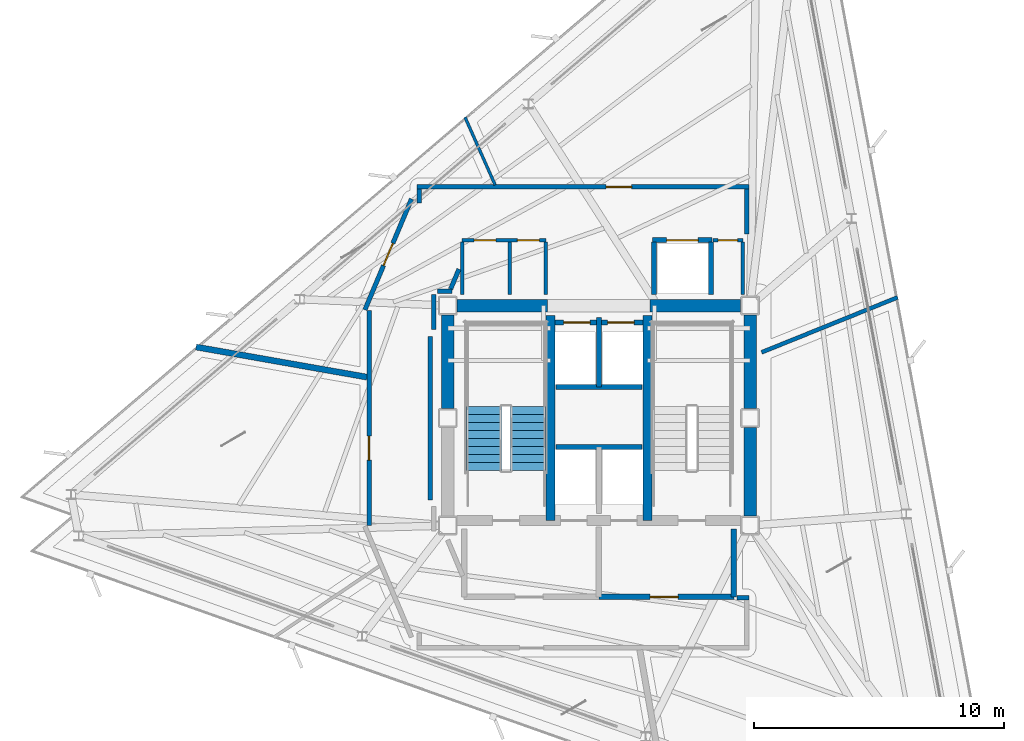
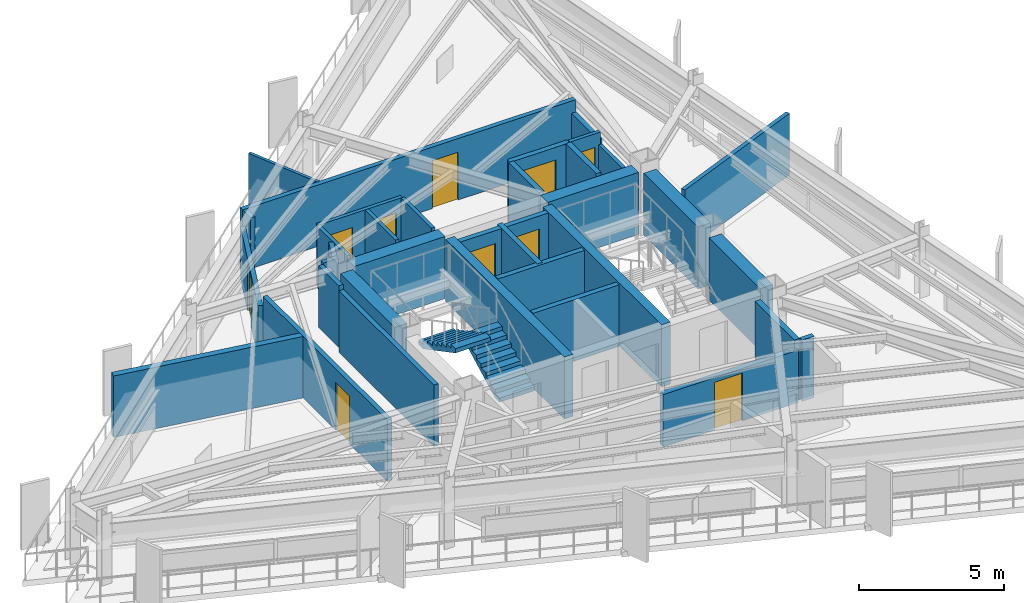
# One storey, part 9 of 14: 35 walls, 10 doors, 2 stair flights, 10 openings, 1 element without a shape of its own.
"""IFC4 building model written with IfcOpenShell, lengths in metres."""

from ifc_helpers import new_model, si_unit, direction, frame, frame_2d, origin, place, context, subcontext, project, spatial, polyline, rectangle, outline, extrude, material, layer, layer_set, type_object, element, fill, aggregate, save


model = new_model("IFC4")

# Units and contexts
model_context = context("Model", 3, precision=1e-05, world=origin(), true_north=direction((0.0, 1.0)))
body_context = subcontext(model_context, "Body", "Model", "MODEL_VIEW")
ifc_project = project(units=[si_unit("LENGTHUNIT", "METRE"), si_unit("AREAUNIT", "SQUARE_METRE"), si_unit("VOLUMEUNIT", "CUBIC_METRE"), si_unit("PLANEANGLEUNIT", "RADIAN"), si_unit("MASSUNIT", "GRAM", prefix="KILO")], contexts=[model_context])

# Site, building, storey
site_placement = place(None, origin())
site = spatial("IfcSite", under=ifc_project, at=site_placement, CompositionType="ELEMENT")
building_placement = place(site_placement, origin())
building = spatial("IfcBuilding", under=site, at=building_placement, Name="Rocaltana Carrier Exchange", CompositionType="ELEMENT")
storey_placement = place(building_placement, frame((0.0, 0.0, 190.56005859375)))
storey = spatial("IfcBuildingStorey", under=building, at=storey_placement, Name="L60", CompositionType="ELEMENT", Elevation=190.56005859375)

# Walls
ifc_material_1 = material(Name="Double Acoustic Gypsum Partition", Category="gypsum")
ifc_layer_1 = layer(ifc_material_1, 0.159912109375)
ifc_layer_set_1 = layer_set([ifc_layer_1], Name="Double Acoustic Gypsum Partition")
wall_type_1 = type_object("IfcWallType", Name="Acoustic Studio Partition 160 EI60", PredefinedType="PARTITIONING", material=ifc_layer_set_1)
wall_1_placement = place(storey_placement, frame((6.510009765625, 2.630126953125, 0.0), z_axis=(0.0, 0.0, 1.0), x_axis=(0.927189354085, 0.374592981342, 0.0)))
element("IfcWall", 1, at=wall_1_placement, inside=storey, type_object=wall_type_1, Name="L60 Suite Divider Wall D3", PredefinedType="PARTITIONING", context=body_context, shape_type="SweptSolid", body=[
    extrude(rectangle(XDim=5.87158203125, YDim=0.159912109375, at=frame_2d((2.935791015625, 0.0))), origin(), (0.0, 0.0, 1.0), 2.593017578125),
])
ifc_material_2 = material(Name="Concrete C50/60", Category="concrete")
ifc_layer_2 = layer(ifc_material_2, 0.35009765625)
ifc_layer_set_2 = layer_set([ifc_layer_2], Name="Concrete C50/60")
wall_type_2 = type_object("IfcWallType", Name="Core Internal Shear Wall 350", PredefinedType="SHEAR", material=ifc_layer_set_2)
for number, where, z_axis, x_axis, name in (
    (2, (-1.93994140625, -4.10009765625, 0.0), (0.0, 0.0, 1.0), (0.0, 1.0, 0.0), "L60 Core Shear Wall CW-STW"),
    (3, (1.93994140625, -4.10009765625, 0.0), (0.0, 0.0, 1.0), (0.0, 1.0, 0.0), "L60 Core Shear Wall CW-STE"),
):
    element("IfcWall", number, at=place(storey_placement, frame(where, z_axis=z_axis, x_axis=x_axis)), inside=storey, type_object=wall_type_2, Name=name, PredefinedType="SHEAR", context=body_context, shape_type="SweptSolid", body=[
        extrude(rectangle(XDim=8.2001953125, YDim=0.35009765625, at=frame_2d((4.10009765625, 0.0))), origin(), (0.0, 0.0, 1.0), 2.617919921875),
    ])
ifc_material_3 = material(Name="Concrete C50/60", Category="concrete")
ifc_layer_3 = layer(ifc_material_3, 0.5)
ifc_layer_set_3 = layer_set([ifc_layer_3], Name="Concrete C50/60")
wall_type_3 = type_object("IfcWallType", Name="Core Shear Wall 500", PredefinedType="SHEAR", material=ifc_layer_set_3)
for number, where, z_axis, x_axis, name in (
    (4, (-6.050048828125, 0.375, 0.0), (0.0, 0.0, 1.0), (0.0, 1.0, 0.0), "L60 Core Shear Wall CW-WN"),
    (5, (6.050048828125, 0.375, 0.0), (0.0, 0.0, 1.0), (0.0, 1.0, 0.0), "L60 Core Shear Wall CW-EN"),
):
    element("IfcWall", number, at=place(storey_placement, frame(where, z_axis=z_axis, x_axis=x_axis)), inside=storey, type_object=wall_type_3, Name=name, PredefinedType="SHEAR", context=body_context, shape_type="SweptSolid", body=[
        extrude(rectangle(XDim=3.75, YDim=0.5, at=frame_2d((1.875, 0.0))), origin(), (0.0, 0.0, 1.0), 2.617919921875),
    ])
wall_2_placement = place(storey_placement, frame((6.050048828125, -3.925048828125, 0.0), z_axis=(0.0, 0.0, 1.0), x_axis=(0.0, 1.0, 0.0)))
element("IfcWall", 6, at=wall_2_placement, inside=storey, type_object=wall_type_3, Name="L60 Core Shear Wall CW-ES", PredefinedType="SHEAR", context=body_context, shape_type="SweptSolid", body=[
    extrude(rectangle(XDim=3.550048828125, YDim=0.5, at=frame_2d((1.77490234375, 0.0))), origin(), (0.0, 0.0, 1.0), 2.617919921875),
])
for number, where, z_axis, x_axis, name in (
    (7, (-5.675048828125, 4.5, 0.0), (0.0, 0.0, 1.0), (1.0, 0.0, 0.0), "L60 Core Shear Wall CW-N1"),
    (8, (2.050048828125, 4.5, 0.0), (0.0, 0.0, 1.0), (1.0, 0.0, 0.0), "L60 Core Shear Wall CW-N2"),
):
    element("IfcWall", number, at=place(storey_placement, frame(where, z_axis=z_axis, x_axis=x_axis)), inside=storey, type_object=wall_type_3, Name=name, PredefinedType="SHEAR", context=body_context, shape_type="SweptSolid", body=[
        extrude(rectangle(XDim=3.625, YDim=0.5, at=frame_2d((1.8125, 0.0))), origin(), (0.0, 0.0, 1.0), 2.617919921875),
    ])

# Wall, opening, door
ifc_material_4 = material(Name="Gypsum & Steel Stud Partition", Category="steel")
ifc_layer_4 = layer(ifc_material_4, 0.179931640625)
ifc_layer_set_4 = layer_set([ifc_layer_4], Name="Gypsum & Steel Stud Partition")
wall_type_4 = type_object("IfcWallType", Name="Corridor Fire Partition 180 EI60", PredefinedType="PARTITIONING", material=ifc_layer_set_4)
wall_3_placement = place(storey_placement, frame((-9.199951171875, -4.303466796875, 0.0), z_axis=(0.0, 0.0, 1.0), x_axis=(0.0, 1.0, 0.0)))
wall_3 = element("IfcWall", 9, at=wall_3_placement, inside=storey, type_object=wall_type_4, Name="L60 Corridor Partition 2", PredefinedType="PARTITIONING", context=body_context, shape_type="SweptSolid", body=[
    extrude(rectangle(XDim=8.60693359375, YDim=0.179931640625, at=frame_2d((4.303466796875, 0.0))), origin(), (0.0, 0.0, 1.0), 2.593017578125),
])
opening_1_placement = place(wall_3_placement, frame((2.619384765625, 0.0, 0.0)))
opening_1 = element("IfcOpeningElement", 10, at=opening_1_placement, cuts=wall_3, Name="Opening D-RM098", PredefinedType="OPENING", context=body_context, shape_type="SweptSolid", body=[
    extrude(rectangle(XDim=0.9599609375, YDim=2.02001953125, at=frame_2d((0.47998046875, 1.010009765625))), frame((0.0, 0.099853515625, 0.0), z_axis=(0.0, -1.0, 0.0), x_axis=(1.0, 0.0, 0.0)), (0.0, 0.0, 1.0), 0.199951171875),
])
ifc_material_5 = material(Name="Engineered Hardwood Timber", Category="wood")
door_type_1 = type_object("IfcDoorType", Name="Workspace Single Door 960x2020", OperationType="NOTDEFINED", PredefinedType="DOOR", material=ifc_material_5)
door_1_placement = place(opening_1_placement, origin())
door_1 = element("IfcDoor", 11, at=door_1_placement, inside=storey, type_object=door_type_1, Name="L60 Cloud Architecture Office Entrance Door", OperationType="SINGLE_SWING_LEFT", OverallHeight=2.02001953125, OverallWidth=0.9599609375, PredefinedType="DOOR", context=body_context, shape_type="SweptSolid", body=[
    extrude(rectangle(XDim=0.9599609375, YDim=2.02001953125, at=frame_2d((0.47998046875, 1.010009765625))), frame((0.0, 0.02490234375, 0.0), z_axis=(0.0, -1.0, 0.0), x_axis=(1.0, 0.0, 0.0)), (0.0, 0.0, 1.0), 0.050048828125),
])
fill(opening_1, door_1)

wall_4_placement = place(storey_placement, frame((-9.36669921875, 4.331787109375, 0.0), z_axis=(0.0, 0.0, 1.0), x_axis=(0.387573945081, 0.921838617706, 0.0)))
wall_4 = element("IfcWall", 12, at=wall_4_placement, inside=storey, type_object=wall_type_4, Name="L60 Corridor Partition 3", PredefinedType="PARTITIONING", context=body_context, shape_type="SweptSolid", body=[
    extrude(rectangle(XDim=4.813232421875, YDim=0.179931640625, at=frame_2d((2.40673828125, 0.0))), origin(), (0.0, 0.0, 1.0), 2.21484375),
])
opening_2_placement = place(wall_4_placement, frame((1.926513671875, 0.0, 0.0)))
opening_2 = element("IfcOpeningElement", 13, at=opening_2_placement, cuts=wall_4, Name="Opening D-RM098", PredefinedType="OPENING", context=body_context, shape_type="SweptSolid", body=[
    extrude(rectangle(XDim=0.9599609375, YDim=2.02001953125, at=frame_2d((0.47998046875, 1.010009765625))), frame((0.0, 0.099853515625, 0.0), z_axis=(0.0, -1.0, 0.0), x_axis=(1.0, 0.0, 0.0)), (0.0, 0.0, 1.0), 0.199951171875),
])
door_2_placement = place(opening_2_placement, origin())
door_2 = element("IfcDoor", 14, at=door_2_placement, inside=storey, type_object=door_type_1, Name="L60 Peering Conference Room Entrance Door", OperationType="SINGLE_SWING_LEFT", OverallHeight=2.02001953125, OverallWidth=0.9599609375, PredefinedType="DOOR", context=body_context, shape_type="SweptSolid", body=[
    extrude(rectangle(XDim=0.9599609375, YDim=2.02001953125, at=frame_2d((0.47998046875, 1.010009765625))), frame((0.0, 0.02490234375, 0.0), z_axis=(0.0, -1.0, 0.0), x_axis=(1.0, 0.0, 0.0)), (0.0, 0.0, 1.0), 0.050048828125),
])
fill(opening_2, door_2)

# Wall
wall_5_placement = place(storey_placement, frame((-7.199951171875, 8.6005859375, 0.0), z_axis=(0.0, 0.0, 1.0), x_axis=(0.0, 1.0, 0.0)))
element("IfcWall", 15, at=wall_5_placement, inside=storey, type_object=wall_type_4, Name="L60 Corridor Partition 4", PredefinedType="PARTITIONING", context=body_context, shape_type="SweptSolid", body=[
    extrude(rectangle(XDim=0.559326171875, YDim=0.179931640625, at=frame_2d((0.27978515625, 0.0))), origin(), (0.0, 0.0, 1.0), 2.593017578125),
])

# Wall, opening, door
wall_6_placement = place(storey_placement, frame((-7.2900390625, 9.25, 0.0), z_axis=(0.0, 0.0, 1.0), x_axis=(1.0, 0.0, 0.0)))
wall_6 = element("IfcWall", 16, at=wall_6_placement, inside=storey, type_object=wall_type_4, Name="L60 Corridor Partition 5", PredefinedType="PARTITIONING", context=body_context, shape_type="SweptSolid", body=[
    extrude(rectangle(XDim=13.300048828125, YDim=0.179931640625, at=frame_2d((6.64990234375, 0.0))), origin(), (0.0, 0.0, 1.0), 2.593017578125),
])
opening_3_placement = place(wall_6_placement, frame((7.577880859375, 0.0, 0.0)))
opening_3 = element("IfcOpeningElement", 17, at=opening_3_placement, cuts=wall_6, Name="Opening D-LB104", PredefinedType="OPENING", context=body_context, shape_type="SweptSolid", body=[
    extrude(rectangle(XDim=1.02001953125, YDim=2.02001953125, at=frame_2d((0.510009765625, 1.010009765625))), frame((0.0, 0.099853515625, 0.0), z_axis=(0.0, -1.0, 0.0), x_axis=(1.0, 0.0, 0.0)), (0.0, 0.0, 1.0), 0.199951171875),
])
ifc_material_6 = material(Name="Powder-Coated Aluminium 6063-T6", Category="aluminium")
door_type_2 = type_object("IfcDoorType", Name="Laboratory Acoustic Door 1020x2020", OperationType="NOTDEFINED", PredefinedType="DOOR", material=ifc_material_6)
door_3_placement = place(opening_3_placement, origin())
door_3 = element("IfcDoor", 18, at=door_3_placement, inside=storey, type_object=door_type_2, Name="L60 Optical Switching Laboratory Entrance Door", OperationType="SINGLE_SWING_RIGHT", OverallHeight=2.02001953125, OverallWidth=1.02001953125, PredefinedType="DOOR", context=body_context, shape_type="SweptSolid", body=[
    extrude(rectangle(XDim=1.02001953125, YDim=2.02001953125, at=frame_2d((0.510009765625, 1.010009765625))), frame((0.0, 0.02490234375, 0.0), z_axis=(0.0, -1.0, 0.0), x_axis=(1.0, 0.0, 0.0)), (0.0, 0.0, 1.0), 0.050048828125),
])
fill(opening_3, door_3)

# Walls
wall_7_placement = place(storey_placement, frame((5.919921875, 9.159912109375, 0.0), z_axis=(0.0, 0.0, 1.0), x_axis=(0.0, -1.0, 0.0)))
element("IfcWall", 19, at=wall_7_placement, inside=storey, type_object=wall_type_4, Name="L60 Corridor Partition 6", PredefinedType="PARTITIONING", context=body_context, shape_type="SweptSolid", body=[
    extrude(rectangle(XDim=1.7998046875, YDim=0.179931640625, at=frame_2d((0.89990234375, 0.0))), origin(), (0.0, 0.0, 1.0), 2.072998046875),
])
wall_8_placement = place(storey_placement, frame((-5.602294921875, 5.9580078125, 0.0), z_axis=(0.0, 0.0, 1.0), x_axis=(-0.387588639363, -0.921832439566, 0.0)))
element("IfcWall", 20, at=wall_8_placement, inside=storey, type_object=wall_type_4, Name="L60 Corridor Partition 8", PredefinedType="PARTITIONING", context=body_context, shape_type="SweptSolid", body=[
    extrude(rectangle(XDim=0.8623046875, YDim=0.179931640625, at=frame_2d((0.43115234375, 0.0))), origin(), (0.0, 0.0, 1.0), 2.593017578125),
])
wall_9_placement = place(storey_placement, frame((-5.88134765625, 5.080078125, 0.0), z_axis=(0.0, 0.0, 1.0), x_axis=(-1.0, 0.0, 0.0)))
element("IfcWall", 21, at=wall_9_placement, inside=storey, type_object=wall_type_4, Name="L60 Corridor Partition 9", PredefinedType="PARTITIONING", context=body_context, shape_type="SweptSolid", body=[
    extrude(rectangle(XDim=0.588623046875, YDim=0.179931640625, at=frame_2d((0.29443359375, 0.0))), origin(), (0.0, 0.0, 1.0), 2.593017578125),
])
wall_10_placement = place(storey_placement, frame((-6.610107421875, 4.93994140625, 0.0), z_axis=(0.0, 0.0, 1.0), x_axis=(0.0, -1.0, 0.0)))
element("IfcWall", 22, at=wall_10_placement, inside=storey, type_object=wall_type_4, Name="L60 Corridor Partition 10", PredefinedType="PARTITIONING", context=body_context, shape_type="SweptSolid", body=[
    extrude(rectangle(XDim=1.398681640625, YDim=0.179931640625, at=frame_2d((0.69921875, 0.0))), origin(), (0.0, 0.0, 1.0), 2.593017578125),
])
wall_11_placement = place(storey_placement, frame((-6.75, 3.2734375, 0.0), z_axis=(0.0, 0.0, 1.0), x_axis=(0.0, -1.0, 0.0)))
element("IfcWall", 23, at=wall_11_placement, inside=storey, type_object=wall_type_4, Name="L60 Corridor Partition 11", PredefinedType="PARTITIONING", context=body_context, shape_type="SweptSolid", body=[
    extrude(rectangle(XDim=6.546875, YDim=0.179931640625, at=frame_2d((3.2734375, 0.0))), origin(), (0.0, 0.0, 1.0), 2.593017578125),
])
wall_12_placement = place(storey_placement, frame((5.530029296875, -7.199951171875, 0.0), z_axis=(0.0, 0.0, 1.0), x_axis=(1.0, 0.0, 0.0)))
element("IfcWall", 24, at=wall_12_placement, inside=storey, type_object=wall_type_4, Name="L60 Corridor Partition 14", PredefinedType="PARTITIONING", context=body_context, shape_type="SweptSolid", body=[
    extrude(rectangle(XDim=0.47998046875, YDim=0.179931640625, at=frame_2d((0.239990234375, 0.0))), origin(), (0.0, 0.0, 1.0), 2.593017578125),
])
ifc_material_7 = material(Name="Aluminium 6063-T6 & Acoustic Glass", Category="aluminium")
ifc_layer_5 = layer(ifc_material_7, 0.114990234375)
ifc_layer_set_5 = layer_set([ifc_layer_5], Name="Aluminium 6063-T6 & Acoustic Glass")
wall_type_5 = type_object("IfcWallType", Name="Demountable Glazed Lab Partition 115", PredefinedType="MOVABLE", material=ifc_layer_set_5)
wall_13_placement = place(storey_placement, frame((-4.154052734375, 9.330078125, 0.0), z_axis=(0.0, 0.0, 1.0), x_axis=(-0.406726956158, 0.913549770475, 0.0)))
element("IfcWall", 25, at=wall_13_placement, inside=storey, type_object=wall_type_5, Name="L60 Suite Divider Wall D4", PredefinedType="MOVABLE", context=body_context, shape_type="SweptSolid", body=[
    extrude(rectangle(XDim=2.96337890625, YDim=0.114990234375, at=frame_2d((1.481689453125, 0.0))), origin(), (0.0, 0.0, 1.0), 2.593017578125),
])
ifc_material_8 = material(Name="Autoclaved Aerated Concrete C30/37", Category="concrete")
ifc_layer_6 = layer(ifc_material_8, 0.219970703125)
ifc_layer_set_6 = layer_set([ifc_layer_6], Name="Autoclaved Aerated Concrete C30/37")
wall_type_6 = type_object("IfcWallType", Name="Firefighting Lobby Wall 220 EI120", PredefinedType="PARTITIONING", material=ifc_layer_set_6)
wall_14_placement = place(storey_placement, frame((5.39990234375, -7.159912109375, 0.0), z_axis=(0.0, 0.0, 1.0), x_axis=(0.0, 1.0, 0.0)))
element("IfcWall", 26, at=wall_14_placement, inside=storey, type_object=wall_type_6, Name="L60 FFL Lobby 2 East Wall", PredefinedType="PARTITIONING", context=body_context, shape_type="SweptSolid", body=[
    extrude(rectangle(XDim=2.7099609375, YDim=0.219970703125, at=frame_2d((1.35498046875, 0.0))), origin(), (0.0, 0.0, 1.0), 2.593017578125),
])

# Wall, opening, door
wall_15_placement = place(storey_placement, frame((0.0, -7.159912109375, 0.0), z_axis=(0.0, 0.0, 1.0), x_axis=(1.0, 0.0, 0.0)))
wall_15 = element("IfcWall", 27, at=wall_15_placement, inside=storey, type_object=wall_type_6, Name="L60 FFL Lobby 2 South Wall", PredefinedType="PARTITIONING", context=body_context, shape_type="SweptSolid", body=[
    extrude(rectangle(XDim=5.39990234375, YDim=0.219970703125, at=frame_2d((2.699951171875, 0.0))), origin(), (0.0, 0.0, 1.0), 2.21484375),
])
opening_4_placement = place(wall_15_placement, frame((2.050048828125, 0.0, 0.0)))
opening_4 = element("IfcOpeningElement", 28, at=opening_4_placement, cuts=wall_15, Name="Opening D-FF115", PredefinedType="OPENING", context=body_context, shape_type="SweptSolid", body=[
    extrude(rectangle(XDim=1.1201171875, YDim=2.02001953125, at=frame_2d((0.56005859375, 1.010009765625))), frame((0.0, 0.119873046875, 0.0), z_axis=(0.0, -1.0, 0.0), x_axis=(1.0, 0.0, 0.0)), (0.0, 0.0, 1.0), 0.239990234375),
])
ifc_material_9 = material(Name="Hollow Metal Fire Door Assembly", Category="steel")
door_type_3 = type_object("IfcDoorType", Name="Firefighting Lobby Door 1120x2020 FD60S", OperationType="NOTDEFINED", PredefinedType="DOOR", material=ifc_material_9)
door_4_placement = place(opening_4_placement, origin())
door_4 = element("IfcDoor", 29, at=door_4_placement, inside=storey, type_object=door_type_3, Name="L60 Firefighting Lift Lobby 2 Door", OperationType="SINGLE_SWING_LEFT", OverallHeight=2.02001953125, OverallWidth=1.1201171875, PredefinedType="DOOR", context=body_context, shape_type="SweptSolid", body=[
    extrude(rectangle(XDim=1.1201171875, YDim=2.02001953125, at=frame_2d((0.56005859375, 1.010009765625))), frame((0.0, 0.02490234375, 0.0), z_axis=(0.0, -1.0, 0.0), x_axis=(1.0, 0.0, 0.0)), (0.0, 0.0, 1.0), 0.050048828125),
])
fill(opening_4, door_4)

# Walls
ifc_material_10 = material(Name="Acoustic Calcium Silicate Partition", Category="gypsum")
ifc_layer_7 = layer(ifc_material_10, 0.239990234375)
ifc_layer_set_7 = layer_set([ifc_layer_7], Name="Acoustic Calcium Silicate Partition")
wall_type_7 = type_object("IfcWallType", Name="Heavy Lab Partition 240 EI90", PredefinedType="PARTITIONING", material=ifc_layer_set_7)
wall_16_placement = place(storey_placement, frame((-9.280029296875, 1.63623046875, 0.0), z_axis=(0.0, 0.0, 1.0), x_axis=(-0.984803709336, 0.173671108934, 0.0)))
element("IfcWall", 30, at=wall_16_placement, inside=storey, type_object=wall_type_7, Name="L60 Suite Divider Wall D5", PredefinedType="PARTITIONING", context=body_context, shape_type="SweptSolid", body=[
    extrude(rectangle(XDim=6.9501953125, YDim=0.239990234375, at=frame_2d((3.47509765625, 0.0))), origin(), (0.0, 0.0, 1.0), 2.593017578125),
])
ifc_material_11 = material(Name="Reinforced Concrete Block C35/45", Category="concrete")
ifc_layer_8 = layer(ifc_material_11, 0.199951171875)
ifc_layer_set_8 = layer_set([ifc_layer_8], Name="Reinforced Concrete Block C35/45")
wall_type_8 = type_object("IfcWallType", Name="Lift Hoistway Enclosure Wall 200 EI120", PredefinedType="PARTITIONING", material=ifc_layer_set_8)
wall_17_placement = place(storey_placement, frame((-1.719970703125, -1.14990234375, 0.0), z_axis=(0.0, 0.0, 1.0), x_axis=(1.0, 0.0, 0.0)))
element("IfcWall", 31, at=wall_17_placement, inside=storey, type_object=wall_type_8, Name="L60 FFL Shaft Back Wall", PredefinedType="PARTITIONING", context=body_context, shape_type="SweptSolid", body=[
    extrude(rectangle(XDim=3.43994140625, YDim=0.199951171875, at=frame_2d((1.719970703125, 0.0))), origin(), (0.0, 0.0, 1.0), 2.593017578125),
])
wall_18_placement = place(storey_placement, frame((0.0, 1.25, 0.0), z_axis=(0.0, 0.0, 1.0), x_axis=(0.0, 1.0, 0.0)))
element("IfcWall", 32, at=wall_18_placement, inside=storey, type_object=wall_type_8, Name="L60 High-Rise Shaft Divider", PredefinedType="PARTITIONING", context=body_context, shape_type="SweptSolid", body=[
    extrude(rectangle(XDim=2.77001953125, YDim=0.199951171875, at=frame_2d((1.385009765625, 0.0))), origin(), (0.0, 0.0, 1.0), 2.593017578125),
])
wall_19_placement = place(storey_placement, frame((-1.719970703125, 1.25, 0.0), z_axis=(0.0, 0.0, 1.0), x_axis=(1.0, 0.0, 0.0)))
element("IfcWall", 33, at=wall_19_placement, inside=storey, type_object=wall_type_8, Name="L60 High-Rise Shaft Back Wall", PredefinedType="PARTITIONING", context=body_context, shape_type="SweptSolid", body=[
    extrude(rectangle(XDim=3.43994140625, YDim=0.199951171875, at=frame_2d((1.719970703125, 0.0))), origin(), (0.0, 0.0, 1.0), 2.593017578125),
])

# Wall, openings, doors
wall_20_placement = place(storey_placement, frame((-1.760009765625, 3.820068359375, 0.0), z_axis=(0.0, 0.0, 1.0), x_axis=(1.0, 0.0, 0.0)))
wall_20 = element("IfcWall", 34, at=wall_20_placement, inside=storey, type_object=wall_type_8, Name="L60 High-Rise Lift Front Wall", PredefinedType="PARTITIONING", context=body_context, shape_type="SweptSolid", body=[
    extrude(rectangle(XDim=3.52001953125, YDim=0.199951171875, at=frame_2d((1.760009765625, 0.0))), origin(), (0.0, 0.0, 1.0), 2.593017578125),
])
opening_5_placement = place(wall_20_placement, frame((0.35009765625, 0.0, 0.0)))
opening_5 = element("IfcOpeningElement", 35, at=opening_5_placement, cuts=wall_20, Name="Opening LD-110", PredefinedType="OPENING", context=body_context, shape_type="SweptSolid", body=[
    extrude(rectangle(XDim=1.06005859375, YDim=2.0400390625, at=frame_2d((0.530029296875, 1.02001953125))), frame((0.0, 0.10986328125, 0.0), z_axis=(0.0, -1.0, 0.0), x_axis=(1.0, 0.0, 0.0)), (0.0, 0.0, 1.0), 0.219970703125),
])
opening_6_placement = place(wall_20_placement, frame((2.110107421875, 0.0, 0.0)))
opening_6 = element("IfcOpeningElement", 36, at=opening_6_placement, cuts=wall_20, Name="Opening LD-110", PredefinedType="OPENING", context=body_context, shape_type="SweptSolid", body=[
    extrude(rectangle(XDim=1.06005859375, YDim=2.0400390625, at=frame_2d((0.530029296875, 1.02001953125))), frame((0.0, 0.10986328125, 0.0), z_axis=(0.0, -1.0, 0.0), x_axis=(1.0, 0.0, 0.0)), (0.0, 0.0, 1.0), 0.219970703125),
])
ifc_material_12 = material(Name="Brushed Stainless Sliding Door Leaf", Category="steel")
door_type_4 = type_object("IfcDoorType", Name="Lift Landing Sliding Door 1060x2040", OperationType="NOTDEFINED", PredefinedType="DOOR", material=ifc_material_12)
door_5_placement = place(opening_5_placement, origin())
door_5 = element("IfcDoor", 37, at=door_5_placement, inside=storey, type_object=door_type_4, Name="L60 High-Rise Lift PLH1 Landing Door", OperationType="SLIDING_TO_LEFT", OverallHeight=2.0400390625, OverallWidth=1.06005859375, PredefinedType="DOOR", context=body_context, shape_type="SweptSolid", body=[
    extrude(rectangle(XDim=1.06005859375, YDim=2.0400390625, at=frame_2d((0.530029296875, 1.02001953125))), frame((0.0, 0.02490234375, 0.0), z_axis=(0.0, -1.0, 0.0), x_axis=(1.0, 0.0, 0.0)), (0.0, 0.0, 1.0), 0.050048828125),
])
fill(opening_5, door_5)
door_6_placement = place(opening_6_placement, origin())
door_6 = element("IfcDoor", 38, at=door_6_placement, inside=storey, type_object=door_type_4, Name="L60 High-Rise Lift PLH2 Landing Door", OperationType="SLIDING_TO_RIGHT", OverallHeight=2.0400390625, OverallWidth=1.06005859375, PredefinedType="DOOR", context=body_context, shape_type="SweptSolid", body=[
    extrude(rectangle(XDim=1.06005859375, YDim=2.0400390625, at=frame_2d((0.530029296875, 1.02001953125))), frame((0.0, 0.02490234375, 0.0), z_axis=(0.0, -1.0, 0.0), x_axis=(1.0, 0.0, 0.0)), (0.0, 0.0, 1.0), 0.050048828125),
])
fill(opening_6, door_6)

# Walls
for number, where, z_axis, x_axis, name in (
    (39, (2.199951171875, 4.949951171875, 0.0), (0.0, 0.0, 1.0), (0.0, 1.0, 0.0), "L60 Goods Lift West Wall"),
    (40, (4.47998046875, 4.949951171875, 0.0), (0.0, 0.0, 1.0), (0.0, 1.0, 0.0), "L60 Goods Lift East Wall"),
):
    element("IfcWall", number, at=place(storey_placement, frame(where, z_axis=z_axis, x_axis=x_axis)), inside=storey, type_object=wall_type_8, Name=name, PredefinedType="PARTITIONING", context=body_context, shape_type="SweptSolid", body=[
        extrude(rectangle(XDim=2.10009765625, YDim=0.199951171875, at=frame_2d((1.050048828125, 0.0))), origin(), (0.0, 0.0, 1.0), 2.593017578125),
    ])

# Wall, opening, door
wall_21_placement = place(storey_placement, frame((2.14990234375, 7.1201171875, 0.0), z_axis=(0.0, 0.0, 1.0), x_axis=(1.0, 0.0, 0.0)))
wall_21 = element("IfcWall", 41, at=wall_21_placement, inside=storey, type_object=wall_type_8, Name="L60 Goods Lift Front Wall", PredefinedType="PARTITIONING", context=body_context, shape_type="SweptSolid", body=[
    extrude(rectangle(XDim=2.380126953125, YDim=0.199951171875, at=frame_2d((1.18994140625, 0.0))), origin(), (0.0, 0.0, 1.0), 2.593017578125),
])
opening_7_placement = place(wall_21_placement, frame((0.56005859375, 0.0, 0.0)))
opening_7 = element("IfcOpeningElement", 42, at=opening_7_placement, cuts=wall_21, Name="Opening LD-130", PredefinedType="OPENING", context=body_context, shape_type="SweptSolid", body=[
    extrude(rectangle(XDim=1.260009765625, YDim=2.06005859375, at=frame_2d((0.6298828125, 1.030029296875))), frame((0.0, 0.10986328125, 0.0), z_axis=(0.0, -1.0, 0.0), x_axis=(1.0, 0.0, 0.0)), (0.0, 0.0, 1.0), 0.219970703125),
])
ifc_material_13 = material(Name="Brushed Stainless Sliding Door Leaf", Category="steel")
door_type_5 = type_object("IfcDoorType", Name="Goods Lift Landing Sliding Door 1260x2060", OperationType="NOTDEFINED", PredefinedType="DOOR", material=ifc_material_13)
door_7_placement = place(opening_7_placement, origin())
door_7 = element("IfcDoor", 43, at=door_7_placement, inside=storey, type_object=door_type_5, Name="L60 Goods Lift GL-1 Landing Door", OperationType="SLIDING_TO_LEFT", OverallHeight=2.06005859375, OverallWidth=1.260009765625, PredefinedType="DOOR", context=body_context, shape_type="SweptSolid", body=[
    extrude(rectangle(XDim=1.260009765625, YDim=2.06005859375, at=frame_2d((0.6298828125, 1.030029296875))), frame((0.0, 0.02490234375, 0.0), z_axis=(0.0, -1.0, 0.0), x_axis=(1.0, 0.0, 0.0)), (0.0, 0.0, 1.0), 0.050048828125),
])
fill(opening_7, door_7)

# Walls
ifc_material_14 = material(Name="Moisture-Resistant Masonry C30/37", Category="masonry")
ifc_layer_9 = layer(ifc_material_14, 0.139892578125)
ifc_layer_set_9 = layer_set([ifc_layer_9], Name="Moisture-Resistant Masonry C30/37")
wall_type_9 = type_object("IfcWallType", Name="Wet-Area Sanitary Partition 140", PredefinedType="PARTITIONING", material=ifc_layer_set_9)
for number, where, z_axis, x_axis, name in (
    (44, (-5.47998046875, 4.949951171875, 0.0), (0.0, 0.0, 1.0), (0.0, 1.0, 0.0), "L60 Sanitary West Wall"),
    (45, (-3.56005859375, 4.949951171875, 0.0), (0.0, 0.0, 1.0), (0.0, 1.0, 0.0), "L60 Sanitary Divider"),
    (46, (-2.1201171875, 4.949951171875, 0.0), (0.0, 0.0, 1.0), (0.0, 1.0, 0.0), "L60 Sanitary East Wall"),
):
    element("IfcWall", number, at=place(storey_placement, frame(where, z_axis=z_axis, x_axis=x_axis)), inside=storey, type_object=wall_type_9, Name=name, PredefinedType="PARTITIONING", context=body_context, shape_type="SweptSolid", body=[
        extrude(rectangle(XDim=2.10009765625, YDim=0.139892578125, at=frame_2d((1.050048828125, 0.0))), origin(), (0.0, 0.0, 1.0), 2.593017578125),
    ])

# Wall, openings, doors
wall_22_placement = place(storey_placement, frame((-5.47998046875, 7.1201171875, 0.0), z_axis=(0.0, 0.0, 1.0), x_axis=(1.0, 0.0, 0.0)))
wall_22 = element("IfcWall", 47, at=wall_22_placement, inside=storey, type_object=wall_type_9, Name="L60 Sanitary North Wall", PredefinedType="PARTITIONING", context=body_context, shape_type="SweptSolid", body=[
    extrude(rectangle(XDim=3.35986328125, YDim=0.139892578125, at=frame_2d((1.679931640625, 0.0))), origin(), (0.0, 0.0, 1.0), 2.593017578125),
])
opening_8_placement = place(wall_22_placement, frame((0.47998046875, 0.0, 0.0)))
opening_8 = element("IfcOpeningElement", 48, at=opening_8_placement, cuts=wall_22, Name="Opening D-WC090", PredefinedType="OPENING", context=body_context, shape_type="SweptSolid", body=[
    extrude(rectangle(XDim=0.8798828125, YDim=2.02001953125, at=frame_2d((0.43994140625, 1.010009765625))), frame((0.0, 0.079833984375, 0.0), z_axis=(0.0, -1.0, 0.0), x_axis=(1.0, 0.0, 0.0)), (0.0, 0.0, 1.0), 0.159912109375),
])
opening_9_placement = place(wall_22_placement, frame((2.219970703125, 0.0, 0.0)))
opening_9 = element("IfcOpeningElement", 49, at=opening_9_placement, cuts=wall_22, Name="Opening D-WC090", PredefinedType="OPENING", context=body_context, shape_type="SweptSolid", body=[
    extrude(rectangle(XDim=0.8798828125, YDim=2.02001953125, at=frame_2d((0.43994140625, 1.010009765625))), frame((0.0, 0.079833984375, 0.0), z_axis=(0.0, -1.0, 0.0), x_axis=(1.0, 0.0, 0.0)), (0.0, 0.0, 1.0), 0.159912109375),
])
ifc_material_15 = material(Name="High-Pressure Laminate Timber", Category="wood")
door_type_6 = type_object("IfcDoorType", Name="Restroom & Accessible WC Door 880x2020", OperationType="NOTDEFINED", PredefinedType="DOOR", material=ifc_material_15)
door_8_placement = place(opening_8_placement, origin())
door_8 = element("IfcDoor", 50, at=door_8_placement, inside=storey, type_object=door_type_6, Name="L60 Accessible Toilet Door", OperationType="SINGLE_SWING_RIGHT", OverallHeight=2.02001953125, OverallWidth=0.8798828125, PredefinedType="DOOR", context=body_context, shape_type="SweptSolid", body=[
    extrude(rectangle(XDim=0.8798828125, YDim=2.02001953125, at=frame_2d((0.43994140625, 1.010009765625))), frame((0.0, 0.02490234375, 0.0), z_axis=(0.0, -1.0, 0.0), x_axis=(1.0, 0.0, 0.0)), (0.0, 0.0, 1.0), 0.050048828125),
])
fill(opening_8, door_8)
door_9_placement = place(opening_9_placement, origin())
door_9 = element("IfcDoor", 51, at=door_9_placement, inside=storey, type_object=door_type_6, Name="L60 Staff Restroom Door", OperationType="SINGLE_SWING_LEFT", OverallHeight=2.02001953125, OverallWidth=0.8798828125, PredefinedType="DOOR", context=body_context, shape_type="SweptSolid", body=[
    extrude(rectangle(XDim=0.8798828125, YDim=2.02001953125, at=frame_2d((0.43994140625, 1.010009765625))), frame((0.0, 0.02490234375, 0.0), z_axis=(0.0, -1.0, 0.0), x_axis=(1.0, 0.0, 0.0)), (0.0, 0.0, 1.0), 0.050048828125),
])
fill(opening_9, door_9)

# Wall
wall_23_placement = place(storey_placement, frame((5.760009765625, 4.949951171875, 0.0), z_axis=(0.0, 0.0, 1.0), x_axis=(0.0, 1.0, 0.0)))
element("IfcWall", 52, at=wall_23_placement, inside=storey, type_object=wall_type_9, Name="L60 Riser East Wall", PredefinedType="PARTITIONING", context=body_context, shape_type="SweptSolid", body=[
    extrude(rectangle(XDim=2.10009765625, YDim=0.139892578125, at=frame_2d((1.050048828125, 0.0))), origin(), (0.0, 0.0, 1.0), 2.072998046875),
])

# Wall, opening, door
wall_24_placement = place(storey_placement, frame((4.56005859375, 7.1201171875, 0.0), z_axis=(0.0, 0.0, 1.0), x_axis=(1.0, 0.0, 0.0)))
wall_24 = element("IfcWall", 53, at=wall_24_placement, inside=storey, type_object=wall_type_9, Name="L60 Riser North Wall", PredefinedType="PARTITIONING", context=body_context, shape_type="SweptSolid", body=[
    extrude(rectangle(XDim=1.199951171875, YDim=0.139892578125, at=frame_2d((0.60009765625, 0.0))), origin(), (0.0, 0.0, 1.0), 2.593017578125),
])
opening_10_placement = place(wall_24_placement, frame((0.2099609375, 0.0, 0.0)))
opening_10 = element("IfcOpeningElement", 54, at=opening_10_placement, cuts=wall_24, Name="Opening D-RS082", PredefinedType="OPENING", context=body_context, shape_type="SweptSolid", body=[
    extrude(rectangle(XDim=0.780029296875, YDim=2.010009765625, at=frame_2d((0.39013671875, 1.0048828125))), frame((0.0, 0.079833984375, 0.0), z_axis=(0.0, -1.0, 0.0), x_axis=(1.0, 0.0, 0.0)), (0.0, 0.0, 1.0), 0.159912109375),
])
ifc_material_16 = material(Name="Hollow Metal Access Door Leaf", Category="steel")
door_type_7 = type_object("IfcDoorType", Name="Riser & Service Closet Door 780x2010", OperationType="NOTDEFINED", PredefinedType="DOOR", material=ifc_material_16)
door_10_placement = place(opening_10_placement, origin())
door_10 = element("IfcDoor", 55, at=door_10_placement, inside=storey, type_object=door_type_7, Name="L60 Fibre Riser Closet Door", OperationType="SINGLE_SWING_RIGHT", OverallHeight=2.010009765625, OverallWidth=0.780029296875, PredefinedType="DOOR", context=body_context, shape_type="SweptSolid", body=[
    extrude(rectangle(XDim=0.780029296875, YDim=2.010009765625, at=frame_2d((0.39013671875, 1.0048828125))), frame((0.0, 0.02490234375, 0.0), z_axis=(0.0, -1.0, 0.0), x_axis=(1.0, 0.0, 0.0)), (0.0, 0.0, 1.0), 0.050048828125),
])
fill(opening_10, door_10)

# Stair, stair flights
ifc_material_17 = material(Name="Precast concrete C45/55", Category="concrete")
stair_type = type_object("IfcStairType", Name="Standard Dog-Leg Stair 160", PredefinedType="HALF_TURN_STAIR", material=ifc_material_17)
stair_placement = place(storey_placement, origin())
stair = element("IfcStair", 56, at=stair_placement, inside=storey, type_object=stair_type, Name="L60 Core West Exit Stair ST-1", PredefinedType="HALF_TURN_STAIR")
ifc_material_18 = material(Name="Precast concrete C45/55", Category="concrete")
stair_flight_type = type_object("IfcStairFlightType", Name="Precast Stair Flight 160", PredefinedType="STRAIGHT", material=ifc_material_18)
stair_flight_1_placement = place(storey_placement, frame((-2.840087890625, -2.10009765625, 0.0), z_axis=(0.0, 0.0, 1.0), x_axis=(0.0, 1.0, 0.0)))
stair_flight_1 = element("IfcStairFlight", 57, at=stair_flight_1_placement, type_object=stair_flight_type, Name="ST-1 flight 1", NumberOfRisers=9, NumberOfTreads=8, PredefinedType="STRAIGHT", RiserHeight=0.168888889, TreadLength=0.32, context=body_context, shape_type="SweptSolid", body=[
    extrude(outline(polyline([(0.0, 0.0), (0.0, 0.1689453125), (0.320068359375, 0.1689453125), (0.320068359375, 0.337890625), (0.639892578125, 0.337890625), (0.639892578125, 0.506591796875), (0.9599609375, 0.506591796875), (0.9599609375, 0.675537109375), (1.280029296875, 0.675537109375), (1.280029296875, 0.844482421875), (1.60009765625, 0.844482421875), (1.60009765625, 1.013427734375), (1.919921875, 1.013427734375), (1.919921875, 1.18212890625), (2.239990234375, 1.18212890625), (2.239990234375, 1.35107421875), (2.56005859375, 1.35107421875), (2.56005859375, 1.52001953125), (2.56005859375, 1.17041015625), (0.342529296875, 0.0), (0.0, 0.0)])), frame((0.0, 0.699951171875, 0.0), z_axis=(0.0, -1.0, 0.0), x_axis=(1.0, 0.0, 0.0)), (0.0, 0.0, 1.0), 1.39990234375),
])
stair_flight_2_placement = place(storey_placement, frame((-4.60009765625, 0.4599609375, 1.52001953125), z_axis=(0.0, 0.0, 1.0), x_axis=(0.0, -1.0, 0.0)))
stair_flight_2 = element("IfcStairFlight", 58, at=stair_flight_2_placement, type_object=stair_flight_type, Name="ST-1 flight 2", NumberOfRisers=9, NumberOfTreads=8, PredefinedType="STRAIGHT", RiserHeight=0.168888889, TreadLength=0.32, context=body_context, shape_type="SweptSolid", body=[
    extrude(outline(polyline([(0.0, 0.0), (0.0, 0.1689453125), (0.320068359375, 0.1689453125), (0.320068359375, 0.337890625), (0.639892578125, 0.337890625), (0.639892578125, 0.506591796875), (0.9599609375, 0.506591796875), (0.9599609375, 0.675537109375), (1.280029296875, 0.675537109375), (1.280029296875, 0.844482421875), (1.60009765625, 0.844482421875), (1.60009765625, 1.013427734375), (1.919921875, 1.013427734375), (1.919921875, 1.18212890625), (2.239990234375, 1.18212890625), (2.239990234375, 1.35107421875), (2.56005859375, 1.35107421875), (2.56005859375, 1.52001953125), (2.56005859375, 1.17041015625), (0.342529296875, 0.0), (0.0, 0.0)])), frame((0.0, 0.699951171875, 0.0), z_axis=(0.0, -1.0, 0.0), x_axis=(1.0, 0.0, 0.0)), (0.0, 0.0, 1.0), 1.39990234375),
])
aggregate(stair, [stair_flight_1, stair_flight_2])

save(model, "model.ifc")
